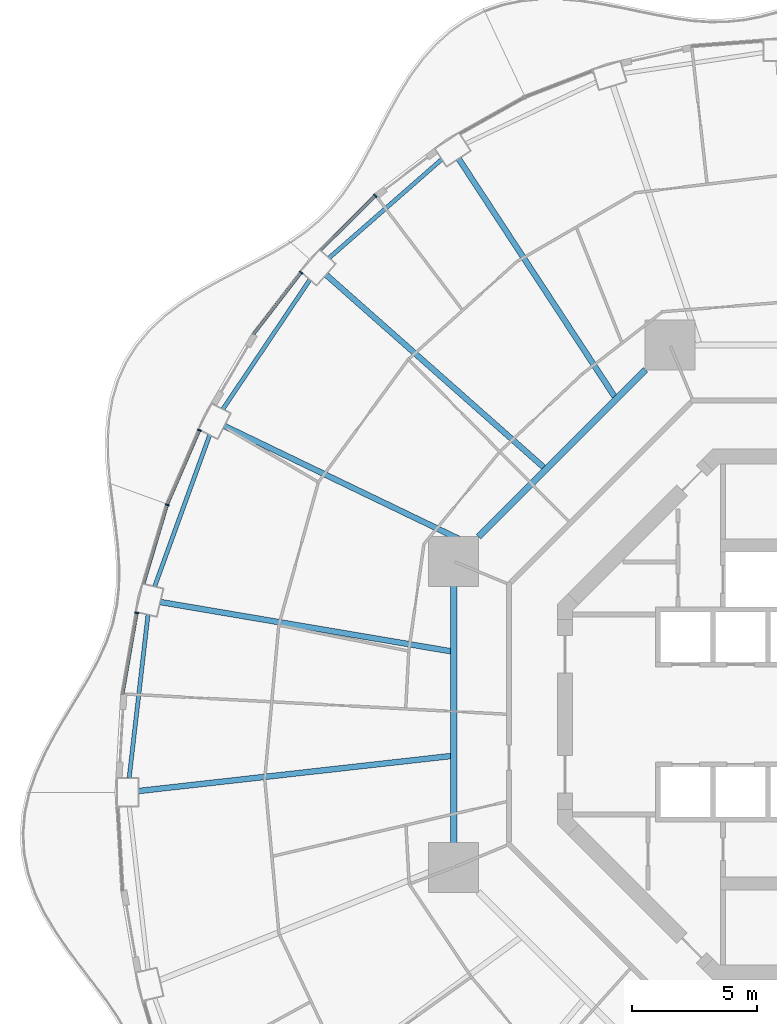
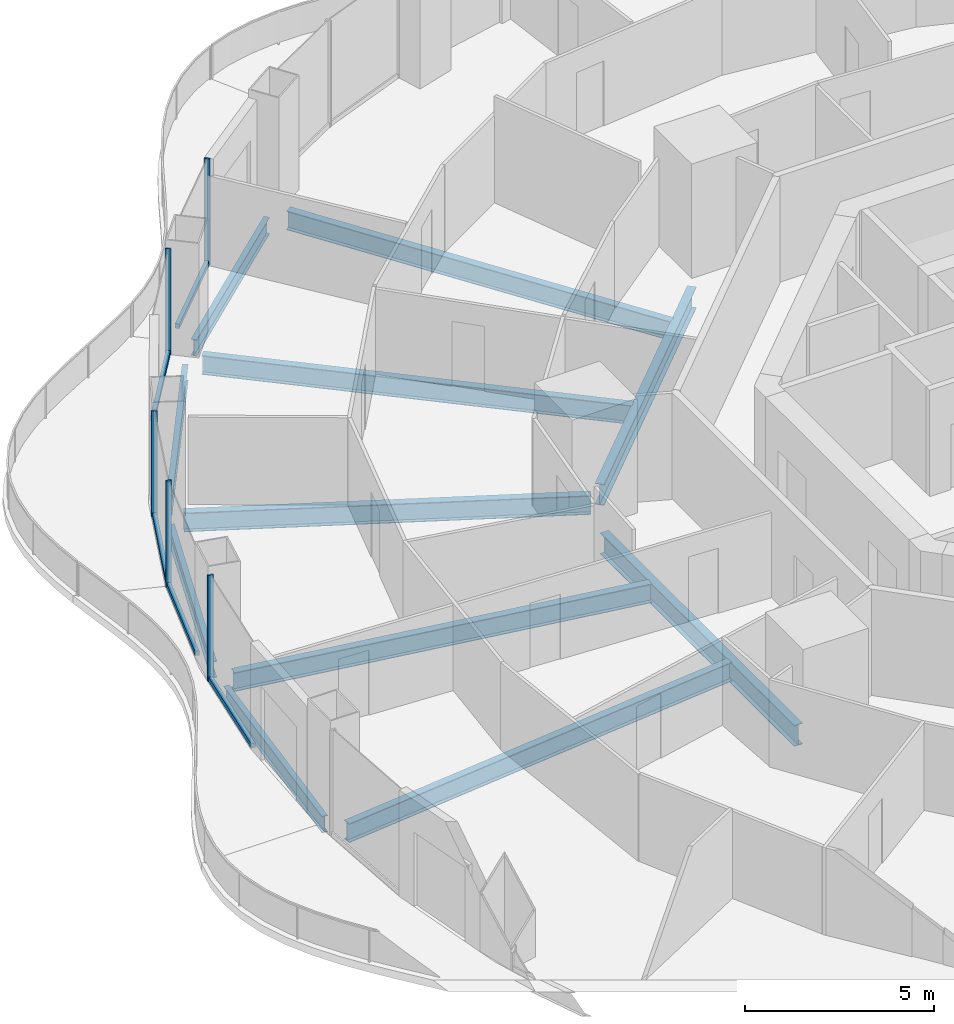
# One storey, part 6 of 20: 11 beams, 10 members, 5 elements without a shape of their own.
"""IFC4 building model written with IfcOpenShell, lengths in metres."""

from ifc_helpers import new_model, si_unit, direction, frame, origin, origin_2d, place, context, subcontext, project, spatial, rectangle, i_section, extrude, material, layer, layer_set, material_profile, profile_set, type_object, element, aggregate, save


model = new_model("IFC4")

# Units and contexts
model_context = context("Model", 3, precision=1e-05, world=origin(), true_north=direction((0.0, 1.0)))
body_context = subcontext(model_context, "Body", "Model", "MODEL_VIEW")
ifc_project = project(units=[si_unit("LENGTHUNIT", "METRE"), si_unit("AREAUNIT", "SQUARE_METRE"), si_unit("VOLUMEUNIT", "CUBIC_METRE"), si_unit("PLANEANGLEUNIT", "RADIAN"), si_unit("MASSUNIT", "GRAM", prefix="KILO")], contexts=[model_context])

# Site, building, storey
site_placement = place(None, origin())
site = spatial("IfcSite", under=ifc_project, at=site_placement, CompositionType="ELEMENT")
building_placement = place(site_placement, origin())
building = spatial("IfcBuilding", under=site, at=building_placement, Name="Nagisa Residences", CompositionType="ELEMENT")
storey_placement = place(building_placement, frame((0.0, 0.0, 145.5)))
storey = spatial("IfcBuildingStorey", under=building, at=storey_placement, Name="L36", CompositionType="ELEMENT", Elevation=145.5)

# Curtain wall, member
ifc_material_1 = material(Name="Concrete-coloured aluminium curtain wall system", Category="concrete")
ifc_layer = layer(ifc_material_1, 0.159912109375)
ifc_layer_set = layer_set([ifc_layer], Name="CW1 CURTAIN WALL")
curtain_wall_type = type_object("IfcCurtainWallType", Name="CW1 CURTAIN WALL", PredefinedType="NOTDEFINED", material=ifc_layer_set)
curtain_wall_1_placement = place(storey_placement, origin())
curtain_wall_1 = element("IfcCurtainWall", 1, at=curtain_wall_1_placement, inside=storey, type_object=curtain_wall_type, Name="cw:CW1:L36:17", PredefinedType="NOTDEFINED")
ifc_material_2 = material(Name="Concrete-coloured aluminium", Category="concrete")
ifc_material_profile_1 = material_profile(ifc_material_2, rectangle(XDim=0.159912109375, YDim=0.06005859375, at=origin_2d()), Name="CW1 MULLION 160x60")
ifc_profile_set_1 = profile_set([ifc_material_profile_1], Name="Concrete-coloured aluminium")
member_type_1 = type_object("IfcMemberType", Name="CW1 MULLION 160x60", PredefinedType="MULLION", material=ifc_profile_set_1)
member_1_placement = place(storey_placement, frame((-17.918212890625, 20.759765625, 0.0), z_axis=(0.0, 0.0, 1.0), x_axis=(0.706376885714, -0.707835924016, 0.0)))
member_1 = element("IfcMember", 2, at=member_1_placement, type_object=member_type_1, Name="CW1 mullion", PredefinedType="MULLION", context=body_context, shape_type="SweptSolid", body=[
    extrude(rectangle(XDim=0.159912109375, YDim=0.06005859375, at=origin_2d()), origin(), (0.0, 0.0, 1.0), 3.43994140625),
])

curtain_wall_2_placement = place(storey_placement, origin())
curtain_wall_2 = element("IfcCurtainWall", 3, at=curtain_wall_2_placement, inside=storey, type_object=curtain_wall_type, Name="cw:CW1:L36:18", PredefinedType="NOTDEFINED")
member_2_placement = place(storey_placement, frame((-20.88427734375, 17.685546875, 0.0), z_axis=(0.0, 0.0, 1.0), x_axis=(0.792070340816, -0.610429828235, 0.0)))
member_2 = element("IfcMember", 4, at=member_2_placement, type_object=member_type_1, Name="CW1 mullion", PredefinedType="MULLION", context=body_context, shape_type="SweptSolid", body=[
    extrude(rectangle(XDim=0.159912109375, YDim=0.06005859375, at=origin_2d()), origin(), (0.0, 0.0, 1.0), 3.43994140625),
])

curtain_wall_3_placement = place(storey_placement, origin())
curtain_wall_3 = element("IfcCurtainWall", 5, at=curtain_wall_3_placement, inside=storey, type_object=curtain_wall_type, Name="cw:CW1:L36:20", PredefinedType="NOTDEFINED")
member_3_placement = place(storey_placement, frame((-24.95703125, 11.369873046875, 0.0), z_axis=(0.0, 0.0, 1.0), x_axis=(0.917543276295, -0.397635934147, 0.0)))
member_3 = element("IfcMember", 6, at=member_3_placement, type_object=member_type_1, Name="CW1 mullion", PredefinedType="MULLION", context=body_context, shape_type="SweptSolid", body=[
    extrude(rectangle(XDim=0.159912109375, YDim=0.06005859375, at=origin_2d()), origin(), (0.0, 0.0, 1.0), 3.43994140625),
])

curtain_wall_4_placement = place(storey_placement, origin())
curtain_wall_4 = element("IfcCurtainWall", 7, at=curtain_wall_4_placement, inside=storey, type_object=curtain_wall_type, Name="cw:CW1:L36:21", PredefinedType="NOTDEFINED")
member_4_placement = place(storey_placement, frame((-26.2470703125, 8.3857421875, 0.0), z_axis=(0.0, 0.0, 1.0), x_axis=(0.958271310082, -0.285860274038, 0.0)))
member_4 = element("IfcMember", 8, at=member_4_placement, type_object=member_type_1, Name="CW1 mullion", PredefinedType="MULLION", context=body_context, shape_type="SweptSolid", body=[
    extrude(rectangle(XDim=0.159912109375, YDim=0.06005859375, at=origin_2d()), origin(), (0.0, 0.0, 1.0), 3.43994140625),
])

curtain_wall_5_placement = place(storey_placement, origin())
curtain_wall_5 = element("IfcCurtainWall", 9, at=curtain_wall_5_placement, inside=storey, type_object=curtain_wall_type, Name="cw:CW1:L36:22", PredefinedType="NOTDEFINED")
member_5_placement = place(storey_placement, frame((-27.46044921875, 4.06298828125, 0.0), z_axis=(0.0, 0.0, 1.0), x_axis=(0.985063604377, -0.172190868898, 0.0)))
member_5 = element("IfcMember", 10, at=member_5_placement, type_object=member_type_1, Name="CW1 mullion", PredefinedType="MULLION", context=body_context, shape_type="SweptSolid", body=[
    extrude(rectangle(XDim=0.159912109375, YDim=0.06005859375, at=origin_2d()), origin(), (0.0, 0.0, 1.0), 3.43994140625),
])

# Member
ifc_material_3 = material(Name="Concrete-coloured aluminium", Category="concrete")
ifc_material_profile_2 = material_profile(ifc_material_3, rectangle(XDim=0.1201171875, YDim=0.14990234375, at=origin_2d()), Name="CW1 TRANSOM 120x150")
ifc_profile_set_2 = profile_set([ifc_material_profile_2], Name="Concrete-coloured aluminium")
member_type_2 = type_object("IfcMemberType", Name="CW1 TRANSOM 120x150", PredefinedType="USERDEFINED", material=ifc_profile_set_2)
member_6_placement = place(storey_placement, frame((-17.89697265625, 20.781005859375, 0.074951171875), z_axis=(-0.707818274975, -0.706394570768, 0.0), x_axis=(0.706394570768, -0.707818274975, 0.0)))
member_6 = element("IfcMember", 11, at=member_6_placement, type_object=member_type_2, Name="CW1 transom", ObjectType="TRANSOM", PredefinedType="USERDEFINED", context=body_context, shape_type="SweptSolid", body=[
    extrude(rectangle(XDim=0.1201171875, YDim=0.14990234375, at=origin_2d()), origin(), (0.0, 0.0, 1.0), 3.086669921875),
])

aggregate(curtain_wall_1, [member_1, member_6])

member_7_placement = place(storey_placement, frame((-20.865966796875, 17.709228515625, 0.074951171875), z_axis=(-0.610467332273, -0.792041435928, 0.0), x_axis=(0.792041435928, -0.610467332273, 0.0)))
member_7 = element("IfcMember", 12, at=member_7_placement, type_object=member_type_2, Name="CW1 transom", ObjectType="TRANSOM", PredefinedType="USERDEFINED", context=body_context, shape_type="SweptSolid", body=[
    extrude(rectangle(XDim=0.1201171875, YDim=0.14990234375, at=origin_2d()), origin(), (0.0, 0.0, 1.0), 3.14892578125),
])

aggregate(curtain_wall_2, [member_2, member_7])

member_8_placement = place(storey_placement, frame((-24.945068359375, 11.3974609375, 0.074951171875), z_axis=(-0.397638954585, -0.917541967321, 0.0), x_axis=(0.917541967321, -0.397638954585, 0.0)))
member_8 = element("IfcMember", 13, at=member_8_placement, type_object=member_type_2, Name="CW1 transom", ObjectType="TRANSOM", PredefinedType="USERDEFINED", context=body_context, shape_type="SweptSolid", body=[
    extrude(rectangle(XDim=0.1201171875, YDim=0.14990234375, at=origin_2d()), origin(), (0.0, 0.0, 1.0), 3.2607421875),
])

aggregate(curtain_wall_3, [member_3, member_8])

member_9_placement = place(storey_placement, frame((-26.238525390625, 8.41455078125, 0.074951171875), z_axis=(-0.285842038783, -0.958276749621, 0.0), x_axis=(0.958276749621, -0.285842038783, 0.0)))
member_9 = element("IfcMember", 14, at=member_9_placement, type_object=member_type_2, Name="CW1 transom", ObjectType="TRANSOM", PredefinedType="USERDEFINED", context=body_context, shape_type="SweptSolid", body=[
    extrude(rectangle(XDim=0.1201171875, YDim=0.14990234375, at=origin_2d()), origin(), (0.0, 0.0, 1.0), 3.302734375),
])

aggregate(curtain_wall_4, [member_4, member_9])

member_10_placement = place(storey_placement, frame((-27.455322265625, 4.092529296875, 0.074951171875), z_axis=(-0.172234609255, -0.985055957484, 0.0), x_axis=(0.985055957484, -0.172234609255, 0.0)))
member_10 = element("IfcMember", 15, at=member_10_placement, type_object=member_type_2, Name="CW1 transom", ObjectType="TRANSOM", PredefinedType="USERDEFINED", context=body_context, shape_type="SweptSolid", body=[
    extrude(rectangle(XDim=0.1201171875, YDim=0.14990234375, at=origin_2d()), origin(), (0.0, 0.0, 1.0), 3.33251953125),
])

aggregate(curtain_wall_5, [member_5, member_10])

# Beams
ifc_material_4 = material(Name="Steel ASTM A572 Gr 50", Category="steel")
ifc_material_profile_3 = material_profile(ifc_material_4, i_section(OverallWidth=0.25390625, OverallDepth=0.68408203125, WebThickness=0.012451171875, FlangeThickness=0.018798828125, at=origin_2d()), Name="W690x140")
ifc_profile_set_3 = profile_set([ifc_material_profile_3], Name="Steel ASTM A572 Gr 50")
beam_type_1 = type_object("IfcBeamType", Name="Inner ring beam W690x140", PredefinedType="BEAM", material=ifc_profile_set_3)
beam_1_placement = place(storey_placement, frame((-7.10888671875, 13.796142578125, -0.60205078125), z_axis=(-0.707106781187, -0.707106781187, 0.0), x_axis=(0.707106781187, -0.707106781187, 0.0)))
element("IfcBeam", 16, at=beam_1_placement, inside=storey, type_object=beam_type_1, Name="beam:L36:ib3", PredefinedType="BEAM", context=body_context, shape_type="SweptSolid", body=[
    extrude(i_section(OverallWidth=0.25390625, OverallDepth=0.68408203125, WebThickness=0.012451171875, FlangeThickness=0.018798828125, at=origin_2d()), origin(), (0.0, 0.0, 1.0), 9.457275390625),
])
beam_2_placement = place(storey_placement, frame((-14.781982421875, 5.142822265625, -0.60205078125), z_axis=(0.0, -1.0, 0.0), x_axis=(1.0, 0.0, 0.0)))
element("IfcBeam", 17, at=beam_2_placement, inside=storey, type_object=beam_type_1, Name="beam:L36:ib4", PredefinedType="BEAM", context=body_context, shape_type="SweptSolid", body=[
    extrude(i_section(OverallWidth=0.25390625, OverallDepth=0.68408203125, WebThickness=0.012451171875, FlangeThickness=0.018798828125, at=origin_2d()), origin(), (0.0, 0.0, 1.0), 10.28564453125),
])
ifc_material_5 = material(Name="Steel ASTM A572 Gr 50", Category="steel")
ifc_material_profile_4 = material_profile(ifc_material_5, i_section(OverallWidth=0.166015625, OverallDepth=0.534912109375, WebThickness=0.01025390625, FlangeThickness=0.0166015625, at=origin_2d()), Name="W530x85")
ifc_profile_set_4 = profile_set([ifc_material_profile_4], Name="Steel ASTM A572 Gr 50")
beam_type_2 = type_object("IfcBeamType", Name="Perimeter ring beam W530x85", PredefinedType="BEAM", material=ifc_profile_set_4)
beam_3_placement = place(storey_placement, frame((-15.25830078125, 22.213134765625, -0.527587890625), z_axis=(-0.752503526528, -0.658588219272, 0.0), x_axis=(0.658588219272, -0.752503526528, 0.0)))
element("IfcBeam", 18, at=beam_3_placement, inside=storey, type_object=beam_type_2, Name="beam:L36:pb09", PredefinedType="BEAM", context=body_context, shape_type="SweptSolid", body=[
    extrude(i_section(OverallWidth=0.166015625, OverallDepth=0.534912109375, WebThickness=0.01025390625, FlangeThickness=0.0166015625, at=origin_2d()), origin(), (0.0, 0.0, 1.0), 5.99462890625),
])
beam_4_placement = place(storey_placement, frame((-20.5361328125, 17.39453125, -0.527587890625), z_axis=(-0.558187951157, -0.82971453596, 0.0), x_axis=(0.82971453596, -0.558187951157, 0.0)))
element("IfcBeam", 19, at=beam_4_placement, inside=storey, type_object=beam_type_2, Name="beam:L36:pb10", PredefinedType="BEAM", context=body_context, shape_type="SweptSolid", body=[
    extrude(i_section(OverallWidth=0.166015625, OverallDepth=0.534912109375, WebThickness=0.01025390625, FlangeThickness=0.0166015625, at=origin_2d()), origin(), (0.0, 0.0, 1.0), 6.24267578125),
])
beam_5_placement = place(storey_placement, frame((-24.54638671875, 11.180419921875, -0.527587890625), z_axis=(-0.341366238276, -0.939930365168, 0.0), x_axis=(0.939930365168, -0.341366238276, 0.0)))
element("IfcBeam", 20, at=beam_5_placement, inside=storey, type_object=beam_type_2, Name="beam:L36:pb11", PredefinedType="BEAM", context=body_context, shape_type="SweptSolid", body=[
    extrude(i_section(OverallWidth=0.166015625, OverallDepth=0.534912109375, WebThickness=0.01025390625, FlangeThickness=0.0166015625, at=origin_2d()), origin(), (0.0, 0.0, 1.0), 6.450927734375),
])
beam_6_placement = place(storey_placement, frame((-27.014892578125, 3.98779296875, -0.527587890625), z_axis=(-0.114660786771, -0.993404703017, 0.0), x_axis=(0.993404703017, -0.114660786771, 0.0)))
element("IfcBeam", 21, at=beam_6_placement, inside=storey, type_object=beam_type_2, Name="beam:L36:pb12", PredefinedType="BEAM", context=body_context, shape_type="SweptSolid", body=[
    extrude(i_section(OverallWidth=0.166015625, OverallDepth=0.534912109375, WebThickness=0.01025390625, FlangeThickness=0.0166015625, at=origin_2d()), origin(), (0.0, 0.0, 1.0), 6.568603515625),
])
ifc_material_6 = material(Name="Steel ASTM A572 Gr 50", Category="steel")
ifc_material_profile_5 = material_profile(ifc_material_6, i_section(OverallWidth=0.22900390625, OverallDepth=0.612060546875, WebThickness=0.011962890625, FlangeThickness=0.01953125, at=origin_2d()), Name="W610x125")
ifc_profile_set_5 = profile_set([ifc_material_profile_5], Name="Steel ASTM A572 Gr 50")
beam_type_3 = type_object("IfcBeamType", Name="Radial beam W610x125", PredefinedType="BEAM", material=ifc_profile_set_5)
beam_7_placement = place(storey_placement, frame((-14.581787109375, 22.2392578125, -0.56591796875), z_axis=(0.548325250323, -0.836265161212, 0.0), x_axis=(0.836265161212, 0.548325250323, 0.0)))
element("IfcBeam", 22, at=beam_7_placement, inside=storey, type_object=beam_type_3, Name="beam:L36:rb09", PredefinedType="BEAM", context=body_context, shape_type="SweptSolid", body=[
    extrude(i_section(OverallWidth=0.22900390625, OverallDepth=0.612060546875, WebThickness=0.011962890625, FlangeThickness=0.01953125, at=origin_2d()), origin(), (0.0, 0.0, 1.0), 11.385498046875),
])
beam_8_placement = place(storey_placement, frame((-19.887451171875, 17.594970703125, -0.56591796875), z_axis=(0.7489549138, -0.662620960349, 0.0), x_axis=(0.662620960349, 0.7489549138, 0.0)))
element("IfcBeam", 23, at=beam_8_placement, inside=storey, type_object=beam_type_3, Name="beam:L36:rb10", PredefinedType="BEAM", context=body_context, shape_type="SweptSolid", body=[
    extrude(i_section(OverallWidth=0.22900390625, OverallDepth=0.612060546875, WebThickness=0.011962890625, FlangeThickness=0.01953125, at=origin_2d()), origin(), (0.0, 0.0, 1.0), 11.63671875),
])
beam_9_placement = place(storey_placement, frame((-23.95947265625, 11.543212890625, -0.56591796875), z_axis=(0.900896469051, -0.434034044808, 0.0), x_axis=(0.434034044808, 0.900896469051, 0.0)))
element("IfcBeam", 24, at=beam_9_placement, inside=storey, type_object=beam_type_3, Name="beam:L36:rb11", PredefinedType="BEAM", context=body_context, shape_type="SweptSolid", body=[
    extrude(i_section(OverallWidth=0.22900390625, OverallDepth=0.612060546875, WebThickness=0.011962890625, FlangeThickness=0.01953125, at=origin_2d()), origin(), (0.0, 0.0, 1.0), 10.820556640625),
])
beam_10_placement = place(storey_placement, frame((-26.52294921875, 4.495849609375, -0.56591796875), z_axis=(0.985936650852, -0.167119479737, 0.0), x_axis=(0.167119479737, 0.985936650852, 0.0)))
element("IfcBeam", 25, at=beam_10_placement, inside=storey, type_object=beam_type_3, Name="beam:L36:rb12", PredefinedType="BEAM", context=body_context, shape_type="SweptSolid", body=[
    extrude(i_section(OverallWidth=0.22900390625, OverallDepth=0.612060546875, WebThickness=0.011962890625, FlangeThickness=0.01953125, at=origin_2d()), origin(), (0.0, 0.0, 1.0), 11.799560546875),
])
beam_11_placement = place(storey_placement, frame((-27.40478515625, -3.069580078125, -0.56591796875), z_axis=(0.993785470482, 0.111312347291, 0.0), x_axis=(-0.111312347291, 0.993785470482, 0.0)))
element("IfcBeam", 26, at=beam_11_placement, inside=storey, type_object=beam_type_3, Name="beam:L36:rb13", PredefinedType="BEAM", context=body_context, shape_type="SweptSolid", body=[
    extrude(i_section(OverallWidth=0.22900390625, OverallDepth=0.612060546875, WebThickness=0.011962890625, FlangeThickness=0.01953125, at=origin_2d()), origin(), (0.0, 0.0, 1.0), 12.593994140625),
])

save(model, "model.ifc")
